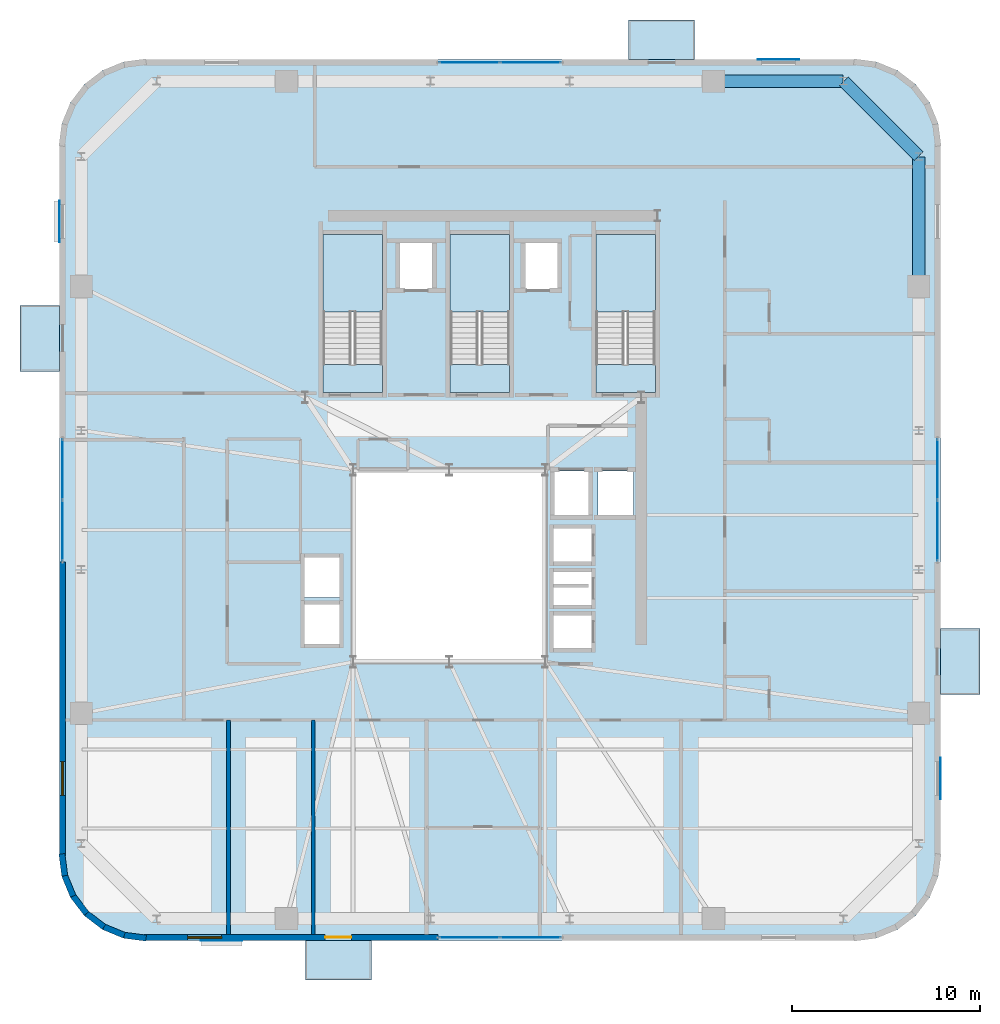
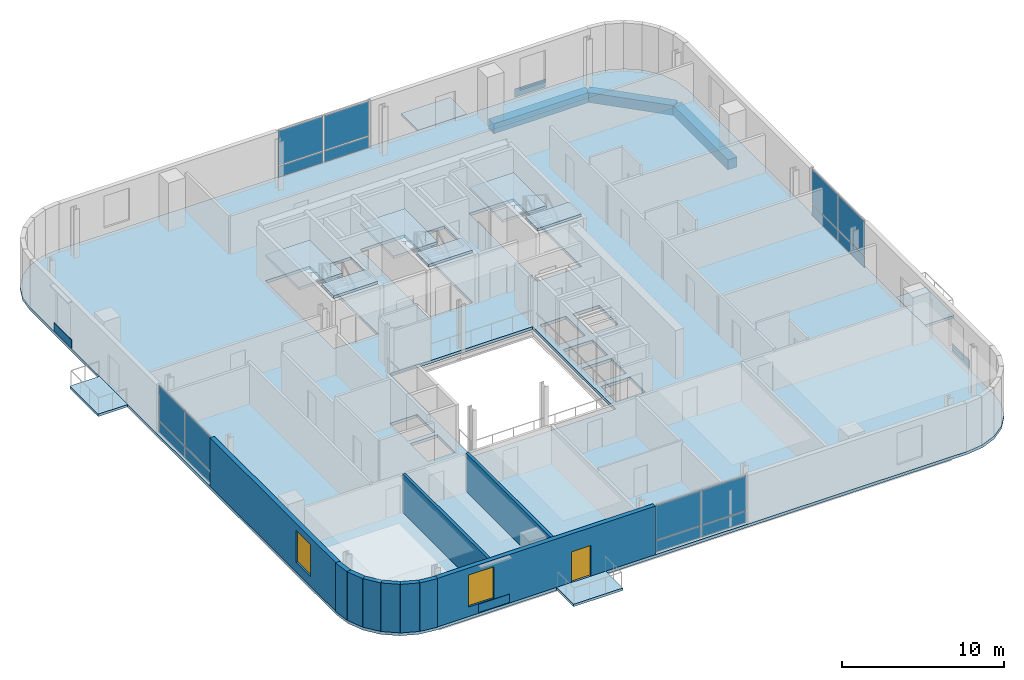
# One storey, part 7 of 15: 20 plates, 11 slabs, 10 walls, 3 beams, 2 windows, 1 door, 3 openings, 7 elements without a shape of their own.
"""IFC4 building model written with IfcOpenShell, lengths in metres."""

from ifc_helpers import new_model, si_unit, direction, frame, frame_2d, origin, origin_2d, place, context, subcontext, project, spatial, polyline, rectangle, outline, extrude, source, transform, mapped, material, layer, layer_set, material_profile, profile_set, type_object, element, fill, aggregate, save


model = new_model("IFC4")

# Units and contexts
model_context = context("Model", 3, precision=1e-05, world=origin(), true_north=direction((0.0, 1.0)))
body_context = subcontext(model_context, "Body", "Model", "MODEL_VIEW")
ifc_project = project(units=[si_unit("LENGTHUNIT", "METRE"), si_unit("AREAUNIT", "SQUARE_METRE"), si_unit("VOLUMEUNIT", "CUBIC_METRE"), si_unit("PLANEANGLEUNIT", "RADIAN"), si_unit("MASSUNIT", "GRAM", prefix="KILO")], contexts=[model_context])

# Site, building, storey
site_placement = place(None, origin())
site = spatial("IfcSite", under=ifc_project, at=site_placement, CompositionType="ELEMENT")
building_placement = place(site_placement, origin())
building = spatial("IfcBuilding", under=site, at=building_placement, Name="Vardaveli Station Tower", CompositionType="ELEMENT")
storey_placement = place(building_placement, frame((0.0, 0.0, 250.60009765625)))
storey = spatial("IfcBuildingStorey", under=building, at=storey_placement, Name="L64", CompositionType="ELEMENT", Elevation=250.60009765625)

# Beams
ifc_material_1 = material(Name="Precast concrete C45/55", Category="concrete")
ifc_material_profile = material_profile(ifc_material_1, rectangle(XDim=0.64990234375, YDim=0.75, at=origin_2d()), Name="LPB 650x750")
ifc_profile_set = profile_set([ifc_material_profile], Name="Precast concrete C45/55")
beam_type = type_object("IfcBeamType", Name="BM-LPB-750", PredefinedType="BEAM", material=ifc_profile_set)
shared_shape_1 = source(origin(), body_context, "Body", "SweptSolid", [
    extrude(rectangle(XDim=0.64990234375, YDim=0.75, at=origin_2d()), origin(), (0.0, 0.0, 1.0), 6.869873046875),
])
for number, where, z_axis, x_axis, name in (
    (1, (61.25, 36.56005859375, -0.59521484375), (0.0, 1.0, 0.0), (-1.0, 0.0, 0.0), "RBM-L64-10"),
    (2, (57.22998046875, 47.449951171875, -0.59521484375), (-1.0, 0.0, 0.0), (0.0, -1.0, 0.0), "RBM-L64-12"),
):
    element("IfcBeam", number, at=place(storey_placement, frame(where, z_axis=z_axis, x_axis=x_axis)), inside=storey, type_object=beam_type, Name=name, PredefinedType="BEAM", context=body_context, shape_type="MappedRepresentation", body=[
        mapped(shared_shape_1, transform((0.0, 0.0, 0.0), scale=1.0)),
    ])
shared_shape_2 = source(origin(), body_context, "Body", "SweptSolid", [
    extrude(rectangle(XDim=0.64990234375, YDim=0.75, at=origin_2d()), origin(), (0.0, 0.0, 1.0), 5.61669921875),
])
beam_placement = place(storey_placement, frame((61.23583984375, 43.464111328125, -0.59521484375), z_axis=(-0.707106781187, 0.707106781187, 0.0), x_axis=(-0.707106781187, -0.707106781187, 0.0)))
element("IfcBeam", 3, at=beam_placement, inside=storey, type_object=beam_type, Name="RBM-L64-11", PredefinedType="BEAM", context=body_context, shape_type="MappedRepresentation", body=[
    mapped(shared_shape_2, transform((0.0, 0.0, 0.0), scale=1.0)),
])

# Stair, slabs
ifc_material_2 = material(Name="Concrete C40/50", Category="concrete")
stair_type = type_object("IfcStairType", Name="STR-CORE-1500", PredefinedType="HALF_TURN_STAIR", material=ifc_material_2)
stair_1_placement = place(storey_placement, origin())
stair_1 = element("IfcStair", 4, at=stair_1_placement, inside=storey, type_object=stair_type, Name="L64 ST-1", PredefinedType="HALF_TURN_STAIR")
ifc_layer_1 = layer(ifc_material_2, 0.199951171875, Name="Concrete C40/50")
ifc_layer_set_1 = layer_set([ifc_layer_1], Name="Concrete C40/50")
slab_type_1 = type_object("IfcSlabType", Name="SLB-LAND-200", PredefinedType="LANDING", material=ifc_layer_set_1)
slab_1_placement = place(storey_placement, frame((0.0, 0.0, 1.77490234375)))
slab_1 = element("IfcSlab", 5, at=slab_1_placement, type_object=slab_type_1, Name="ST-1 landing 1", PredefinedType="LANDING", context=body_context, shape_type="SweptSolid", body=[
    extrude(outline(polyline([(32.75, 35.199951171875), (32.75, 39.300048828125), (29.60009765625, 39.300048828125), (29.60009765625, 35.199951171875), (32.75, 35.199951171875)])), origin(), (0.0, 0.0, 1.0), 0.199951171875),
])
slab_2_placement = place(storey_placement, frame((0.0, 0.0, 3.75)))
slab_2 = element("IfcSlab", 6, at=slab_2_placement, type_object=slab_type_1, Name="ST-1 landing 2", PredefinedType="LANDING", context=body_context, shape_type="SweptSolid", body=[
    extrude(outline(polyline([(32.75, 30.89990234375), (32.75, 32.39990234375), (29.60009765625, 32.39990234375), (29.60009765625, 30.89990234375), (32.75, 30.89990234375)])), origin(), (0.0, 0.0, 1.0), 0.199951171875),
])
aggregate(stair_1, [slab_1, slab_2])

stair_2_placement = place(storey_placement, origin())
stair_2 = element("IfcStair", 7, at=stair_2_placement, inside=storey, type_object=stair_type, Name="L64 ST-2", PredefinedType="HALF_TURN_STAIR")
slab_3_placement = place(storey_placement, frame((0.0, 0.0, 1.77490234375)))
slab_3 = element("IfcSlab", 8, at=slab_3_placement, type_object=slab_type_1, Name="ST-2 landing 1", PredefinedType="LANDING", context=body_context, shape_type="SweptSolid", body=[
    extrude(outline(polyline([(39.5, 35.199951171875), (39.5, 39.300048828125), (36.35009765625, 39.300048828125), (36.35009765625, 35.199951171875), (39.5, 35.199951171875)])), origin(), (0.0, 0.0, 1.0), 0.199951171875),
])
slab_4_placement = place(storey_placement, frame((0.0, 0.0, 3.75)))
slab_4 = element("IfcSlab", 9, at=slab_4_placement, type_object=slab_type_1, Name="ST-2 landing 2", PredefinedType="LANDING", context=body_context, shape_type="SweptSolid", body=[
    extrude(outline(polyline([(39.5, 30.89990234375), (39.5, 32.39990234375), (36.35009765625, 32.39990234375), (36.35009765625, 30.89990234375), (39.5, 30.89990234375)])), origin(), (0.0, 0.0, 1.0), 0.199951171875),
])
aggregate(stair_2, [slab_3, slab_4])

stair_3_placement = place(storey_placement, origin())
stair_3 = element("IfcStair", 10, at=stair_3_placement, inside=storey, type_object=stair_type, Name="L64 ST-3", PredefinedType="HALF_TURN_STAIR")
slab_5_placement = place(storey_placement, frame((0.0, 0.0, 1.77490234375)))
slab_5 = element("IfcSlab", 11, at=slab_5_placement, type_object=slab_type_1, Name="ST-3 landing 1", PredefinedType="LANDING", context=body_context, shape_type="SweptSolid", body=[
    extrude(outline(polyline([(47.25, 35.199951171875), (47.25, 39.300048828125), (44.10009765625, 39.300048828125), (44.10009765625, 35.199951171875), (47.25, 35.199951171875)])), origin(), (0.0, 0.0, 1.0), 0.199951171875),
])
slab_6_placement = place(storey_placement, frame((0.0, 0.0, 3.75)))
slab_6 = element("IfcSlab", 12, at=slab_6_placement, type_object=slab_type_1, Name="ST-3 landing 2", PredefinedType="LANDING", context=body_context, shape_type="SweptSolid", body=[
    extrude(outline(polyline([(47.25, 30.89990234375), (47.25, 32.39990234375), (44.10009765625, 32.39990234375), (44.10009765625, 30.89990234375), (47.25, 30.89990234375)])), origin(), (0.0, 0.0, 1.0), 0.199951171875),
])
aggregate(stair_3, [slab_5, slab_6])

# Slabs
ifc_layer_2 = layer(ifc_material_1, 0.179931640625, Name="Precast concrete C45/55")
ifc_layer_set_2 = layer_set([ifc_layer_2], Name="Precast concrete C45/55")
slab_type_2 = type_object("IfcSlabType", Name="SLB-LOGGIA-180", PredefinedType="FLOOR", material=ifc_layer_set_2)
slab_7_placement = place(storey_placement, frame((0.0, 0.0, -0.18017578125)))
element("IfcSlab", 13, at=slab_7_placement, inside=storey, type_object=slab_type_2, Name="LOG-L64-S", PredefinedType="FLOOR", context=body_context, shape_type="SweptSolid", body=[
    extrude(outline(polyline([(28.660400390625, -0.300048828125), (32.160400390625, -0.300048828125), (32.160400390625, 1.800048828125), (28.660400390625, 1.800048828125), (28.660400390625, -0.300048828125)])), origin(), (0.0, 0.0, 1.0), 0.18017578125),
])
slab_8_placement = place(storey_placement, frame((0.0, 0.0, -0.18017578125)))
element("IfcSlab", 14, at=slab_8_placement, inside=storey, type_object=slab_type_2, Name="LOG-L64-N", PredefinedType="FLOOR", context=body_context, shape_type="SweptSolid", body=[
    extrude(outline(polyline([(45.839599609375, 48.60009765625), (49.339599609375, 48.60009765625), (49.339599609375, 50.699951171875), (45.839599609375, 50.699951171875), (45.839599609375, 48.60009765625)])), origin(), (0.0, 0.0, 1.0), 0.18017578125),
])
slab_9_placement = place(storey_placement, frame((0.0, 0.0, -0.18017578125)))
element("IfcSlab", 15, at=slab_9_placement, inside=storey, type_object=slab_type_2, Name="LOG-L64-W", PredefinedType="FLOOR", context=body_context, shape_type="SweptSolid", body=[
    extrude(outline(polyline([(13.5, 32.03955078125), (15.60009765625, 32.03955078125), (15.60009765625, 35.53955078125), (13.5, 35.53955078125), (13.5, 32.03955078125)])), origin(), (0.0, 0.0, 1.0), 0.18017578125),
])
slab_10_placement = place(storey_placement, frame((0.0, 0.0, -0.18017578125)))
element("IfcSlab", 16, at=slab_10_placement, inside=storey, type_object=slab_type_2, Name="LOG-L64-E", PredefinedType="FLOOR", context=body_context, shape_type="SweptSolid", body=[
    extrude(outline(polyline([(62.39990234375, 14.8603515625), (64.5, 14.8603515625), (64.5, 18.3603515625), (62.39990234375, 18.3603515625), (62.39990234375, 14.8603515625)])), origin(), (0.0, 0.0, 1.0), 0.18017578125),
])
ifc_layer_3 = layer(ifc_material_2, 0.219970703125, Name="Concrete C40/50")
ifc_layer_set_3 = layer_set([ifc_layer_3], Name="Concrete C40/50")
slab_type_3 = type_object("IfcSlabType", Name="SLB-TOW-220", PredefinedType="FLOOR", material=ifc_layer_set_3)
slab_11_placement = place(storey_placement, frame((0.0, 0.0, -0.22021484375)))
element("IfcSlab", 17, at=slab_11_placement, inside=storey, type_object=slab_type_3, Name="SLB-L64-MAIN", PredefinedType="FLOOR", context=body_context, shape_type="SweptSolid", body=[
    extrude(outline(polyline([(15.60009765625, 6.300048828125), (15.75341796875, 5.13525390625), (16.202880859375, 4.050048828125), (16.91796875, 3.117919921875), (17.85009765625, 2.40283203125), (18.935302734375, 1.953369140625), (20.10009765625, 1.800048828125), (57.89990234375, 1.800048828125), (59.064697265625, 1.953369140625), (60.14990234375, 2.40283203125), (61.08203125, 3.117919921875), (61.797119140625, 4.050048828125), (62.24658203125, 5.13525390625), (62.39990234375, 6.300048828125), (62.39990234375, 44.10009765625), (62.24658203125, 45.2646484375), (61.797119140625, 46.35009765625), (61.08203125, 47.281982421875), (60.14990234375, 47.9970703125), (59.064697265625, 48.44677734375), (57.89990234375, 48.60009765625), (20.10009765625, 48.60009765625), (18.935302734375, 48.44677734375), (17.85009765625, 47.9970703125), (16.91796875, 47.281982421875), (16.202880859375, 46.35009765625), (15.75341796875, 45.2646484375), (15.60009765625, 44.10009765625), (15.60009765625, 6.300048828125)]), holes=[polyline([(31.199951171875, 16.60009765625), (41.39990234375, 16.60009765625), (41.39990234375, 26.800048828125), (31.199951171875, 26.800048828125), (31.199951171875, 16.60009765625)]), polyline([(32.75, 30.89990234375), (32.75, 39.300048828125), (29.60009765625, 39.300048828125), (29.60009765625, 30.89990234375), (32.75, 30.89990234375)]), polyline([(39.5, 30.89990234375), (39.5, 39.300048828125), (36.35009765625, 39.300048828125), (36.35009765625, 30.89990234375), (39.5, 30.89990234375)]), polyline([(47.25, 30.89990234375), (47.25, 39.300048828125), (44.10009765625, 39.300048828125), (44.10009765625, 30.89990234375), (47.25, 30.89990234375)]), polyline([(33.659912109375, 36.409912109375), (35.43994140625, 36.409912109375), (35.43994140625, 38.889892578125), (33.659912109375, 38.889892578125), (33.659912109375, 36.409912109375)]), polyline([(40.31005859375, 36.409912109375), (42.090087890625, 36.409912109375), (42.090087890625, 38.889892578125), (40.31005859375, 38.889892578125), (40.31005859375, 36.409912109375)]), polyline([(41.81005859375, 21.885009765625), (43.889892578125, 21.885009765625), (43.889892578125, 23.715087890625), (41.81005859375, 23.715087890625), (41.81005859375, 21.885009765625)]), polyline([(41.81005859375, 19.5849609375), (43.889892578125, 19.5849609375), (43.889892578125, 21.4150390625), (41.81005859375, 21.4150390625), (41.81005859375, 19.5849609375)]), polyline([(41.81005859375, 17.284912109375), (43.889892578125, 17.284912109375), (43.889892578125, 19.114990234375), (41.81005859375, 19.114990234375), (41.81005859375, 17.284912109375)]), polyline([(28.5849609375, 17.510009765625), (30.514892578125, 17.510009765625), (30.514892578125, 19.68994140625), (28.5849609375, 19.68994140625), (28.5849609375, 17.510009765625)]), polyline([(28.5849609375, 20.010009765625), (30.514892578125, 20.010009765625), (30.514892578125, 22.18994140625), (28.5849609375, 22.18994140625), (28.5849609375, 20.010009765625)]), polyline([(41.860107421875, 24.360107421875), (43.739990234375, 24.360107421875), (43.739990234375, 26.739990234375), (41.860107421875, 26.739990234375), (41.860107421875, 24.360107421875)]), polyline([(44.2099609375, 24.360107421875), (46.090087890625, 24.360107421875), (46.090087890625, 26.739990234375), (44.2099609375, 26.739990234375), (44.2099609375, 24.360107421875)])]), origin(), (0.0, 0.0, 1.0), 0.22021484375),
])

# Plates
ifc_material_3 = material(Name="Honed Caucasian travertine stone", Category="masonry")
ifc_layer_4 = layer(ifc_material_3, 0.034912109375, Name="Honed Caucasian travertine stone")
ifc_layer_set_4 = layer_set([ifc_layer_4], Name="Honed Caucasian travertine stone")
plate_type_1 = type_object("IfcPlateType", Name="PLT-TRAV-35", PredefinedType="SHEET", material=ifc_layer_set_4)
shared_shape_3 = source(origin(), body_context, "Body", "SweptSolid", [
    extrude(rectangle(XDim=2.199951171875, YDim=0.034912109375, at=origin_2d()), origin(), (0.0, 0.0, 1.0), 0.6201171875),
])
for number, where, z_axis, x_axis, name in (
    (18, (24.205078125, 1.79052734375, 0.06982421875), (0.0, 0.0, 1.0), (1.0, 0.0, 0.0), "PLT-TR-L64-S"),
    (19, (53.794921875, 48.609619140625, 0.06982421875), (0.0, 0.0, 1.0), (1.0, 0.0, 0.0), "PLT-TR-L64-N"),
    (20, (15.590576171875, 39.9951171875, 0.06982421875), (0.0, 0.0, 1.0), (0.0, 1.0, 0.0), "PLT-TR-L64-W"),
    (21, (62.409423828125, 10.405029296875, 0.06982421875), (0.0, 0.0, 1.0), (0.0, 1.0, 0.0), "PLT-TR-L64-E"),
):
    element("IfcPlate", number, at=place(storey_placement, frame(where, z_axis=z_axis, x_axis=x_axis)), inside=storey, type_object=plate_type_1, Name=name, PredefinedType="SHEET", context=body_context, shape_type="MappedRepresentation", body=[
        mapped(shared_shape_3, transform((0.0, 0.0, 0.0), scale=1.0)),
    ])

# Curtain wall, plates
ifc_material_4 = material(Name="Travertine stone and solar-control glass", Category="masonry")
curtain_wall_type = type_object("IfcCurtainWallType", Name="CW-SYS-5", PredefinedType="NOTDEFINED", material=ifc_material_4)
curtain_wall_1_placement = place(storey_placement, origin())
curtain_wall_1 = element("IfcCurtainWall", 22, at=curtain_wall_1_placement, inside=storey, type_object=curtain_wall_type, Name="CW-L64-S", PredefinedType="NOTDEFINED")
ifc_material_5 = material(Name="Double-glazed low-E solar-control glass", Category="glass")
ifc_layer_5 = layer(ifc_material_5, 0.031982421875, Name="Double-glazed low-E solar-control glass")
ifc_layer_set_5 = layer_set([ifc_layer_5], Name="Double-glazed low-E solar-control glass")
plate_type_2 = type_object("IfcPlateType", Name="CW-SYS-5-PAN", PredefinedType="CURTAIN_PANEL", material=ifc_layer_set_5)
shared_shape_4 = source(origin(), body_context, "Body", "SweptSolid", [
    extrude(rectangle(XDim=3.179931640625, YDim=0.031982421875, at=origin_2d()), origin(), (0.0, 0.0, 1.0), 0.830078125),
])
plate_1_placement = place(storey_placement, frame((37.3701171875, 1.9599609375, 0.079833984375), z_axis=(0.0, 0.0, 1.0), x_axis=(1.0, 0.0, 0.0)))
plate_1 = element("IfcPlate", 23, at=plate_1_placement, type_object=plate_type_2, Name="CW-5 panel 1.1", PredefinedType="CURTAIN_PANEL", context=body_context, shape_type="MappedRepresentation", body=[
    mapped(shared_shape_4, transform((0.0, 0.0, 0.0), scale=1.0)),
])
plate_2_placement = place(storey_placement, frame((40.6298828125, 1.9599609375, 0.079833984375), z_axis=(0.0, 0.0, 1.0), x_axis=(1.0, 0.0, 0.0)))
plate_2 = element("IfcPlate", 24, at=plate_2_placement, type_object=plate_type_2, Name="CW-5 panel 2.1", PredefinedType="CURTAIN_PANEL", context=body_context, shape_type="MappedRepresentation", body=[
    mapped(shared_shape_4, transform((0.0, 0.0, 0.0), scale=1.0)),
])

curtain_wall_2_placement = place(storey_placement, origin())
curtain_wall_2 = element("IfcCurtainWall", 25, at=curtain_wall_2_placement, inside=storey, type_object=curtain_wall_type, Name="CW-L64-N", PredefinedType="NOTDEFINED")
plate_3_placement = place(storey_placement, frame((40.6298828125, 48.43994140625, 0.079833984375), z_axis=(0.0, 0.0, 1.0), x_axis=(-1.0, 0.0, 0.0)))
plate_3 = element("IfcPlate", 26, at=plate_3_placement, type_object=plate_type_2, Name="CW-5 panel 1.1", PredefinedType="CURTAIN_PANEL", context=body_context, shape_type="MappedRepresentation", body=[
    mapped(shared_shape_4, transform((0.0, 0.0, 0.0), scale=1.0)),
])
plate_4_placement = place(storey_placement, frame((37.3701171875, 48.43994140625, 0.079833984375), z_axis=(0.0, 0.0, 1.0), x_axis=(-1.0, 0.0, 0.0)))
plate_4 = element("IfcPlate", 27, at=plate_4_placement, type_object=plate_type_2, Name="CW-5 panel 2.1", PredefinedType="CURTAIN_PANEL", context=body_context, shape_type="MappedRepresentation", body=[
    mapped(shared_shape_4, transform((0.0, 0.0, 0.0), scale=1.0)),
])

curtain_wall_3_placement = place(storey_placement, origin())
curtain_wall_3 = element("IfcCurtainWall", 28, at=curtain_wall_3_placement, inside=storey, type_object=curtain_wall_type, Name="CW-L64-W", PredefinedType="NOTDEFINED")
plate_5_placement = place(storey_placement, frame((15.760009765625, 26.830078125, 0.079833984375), z_axis=(0.0, 0.0, 1.0), x_axis=(0.0, -1.0, 0.0)))
plate_5 = element("IfcPlate", 29, at=plate_5_placement, type_object=plate_type_2, Name="CW-5 panel 1.1", PredefinedType="CURTAIN_PANEL", context=body_context, shape_type="MappedRepresentation", body=[
    mapped(shared_shape_4, transform((0.0, 0.0, 0.0), scale=1.0)),
])
plate_6_placement = place(storey_placement, frame((15.760009765625, 23.570068359375, 0.079833984375), z_axis=(0.0, 0.0, 1.0), x_axis=(0.0, -1.0, 0.0)))
plate_6 = element("IfcPlate", 30, at=plate_6_placement, type_object=plate_type_2, Name="CW-5 panel 2.1", PredefinedType="CURTAIN_PANEL", context=body_context, shape_type="MappedRepresentation", body=[
    mapped(shared_shape_4, transform((0.0, 0.0, 0.0), scale=1.0)),
])

curtain_wall_4_placement = place(storey_placement, origin())
curtain_wall_4 = element("IfcCurtainWall", 31, at=curtain_wall_4_placement, inside=storey, type_object=curtain_wall_type, Name="CW-L64-E", PredefinedType="NOTDEFINED")
plate_7_placement = place(storey_placement, frame((62.239990234375, 23.570068359375, 0.079833984375), z_axis=(0.0, 0.0, 1.0), x_axis=(0.0, 1.0, 0.0)))
plate_7 = element("IfcPlate", 32, at=plate_7_placement, type_object=plate_type_2, Name="CW-5 panel 1.1", PredefinedType="CURTAIN_PANEL", context=body_context, shape_type="MappedRepresentation", body=[
    mapped(shared_shape_4, transform((0.0, 0.0, 0.0), scale=1.0)),
])
plate_8_placement = place(storey_placement, frame((62.239990234375, 26.830078125, 0.079833984375), z_axis=(0.0, 0.0, 1.0), x_axis=(0.0, 1.0, 0.0)))
plate_8 = element("IfcPlate", 33, at=plate_8_placement, type_object=plate_type_2, Name="CW-5 panel 2.1", PredefinedType="CURTAIN_PANEL", context=body_context, shape_type="MappedRepresentation", body=[
    mapped(shared_shape_4, transform((0.0, 0.0, 0.0), scale=1.0)),
])

# Plate
shared_shape_5 = source(origin(), body_context, "Body", "SweptSolid", [
    extrude(rectangle(XDim=3.179931640625, YDim=0.031982421875, at=origin_2d()), origin(), (0.0, 0.0, 1.0), 2.580078125),
])
plate_9_placement = place(storey_placement, frame((37.3701171875, 1.9599609375, 0.98974609375), z_axis=(0.0, 0.0, 1.0), x_axis=(1.0, 0.0, 0.0)))
plate_9 = element("IfcPlate", 34, at=plate_9_placement, type_object=plate_type_2, Name="CW-5 panel 1.2", PredefinedType="CURTAIN_PANEL", context=body_context, shape_type="MappedRepresentation", body=[
    mapped(shared_shape_5, transform((0.0, 0.0, 0.0), scale=1.0)),
])

plate_10_placement = place(storey_placement, frame((40.6298828125, 1.9599609375, 0.98974609375), z_axis=(0.0, 0.0, 1.0), x_axis=(1.0, 0.0, 0.0)))
plate_10 = element("IfcPlate", 35, at=plate_10_placement, type_object=plate_type_2, Name="CW-5 panel 2.2", PredefinedType="CURTAIN_PANEL", context=body_context, shape_type="MappedRepresentation", body=[
    mapped(shared_shape_5, transform((0.0, 0.0, 0.0), scale=1.0)),
])

aggregate(curtain_wall_1, [plate_1, plate_9, plate_2, plate_10])

plate_11_placement = place(storey_placement, frame((40.6298828125, 48.43994140625, 0.98974609375), z_axis=(0.0, 0.0, 1.0), x_axis=(-1.0, 0.0, 0.0)))
plate_11 = element("IfcPlate", 36, at=plate_11_placement, type_object=plate_type_2, Name="CW-5 panel 1.2", PredefinedType="CURTAIN_PANEL", context=body_context, shape_type="MappedRepresentation", body=[
    mapped(shared_shape_5, transform((0.0, 0.0, 0.0), scale=1.0)),
])

plate_12_placement = place(storey_placement, frame((37.3701171875, 48.43994140625, 0.98974609375), z_axis=(0.0, 0.0, 1.0), x_axis=(-1.0, 0.0, 0.0)))
plate_12 = element("IfcPlate", 37, at=plate_12_placement, type_object=plate_type_2, Name="CW-5 panel 2.2", PredefinedType="CURTAIN_PANEL", context=body_context, shape_type="MappedRepresentation", body=[
    mapped(shared_shape_5, transform((0.0, 0.0, 0.0), scale=1.0)),
])

aggregate(curtain_wall_2, [plate_3, plate_11, plate_4, plate_12])

plate_13_placement = place(storey_placement, frame((15.760009765625, 26.830078125, 0.98974609375), z_axis=(0.0, 0.0, 1.0), x_axis=(0.0, -1.0, 0.0)))
plate_13 = element("IfcPlate", 38, at=plate_13_placement, type_object=plate_type_2, Name="CW-5 panel 1.2", PredefinedType="CURTAIN_PANEL", context=body_context, shape_type="MappedRepresentation", body=[
    mapped(shared_shape_5, transform((0.0, 0.0, 0.0), scale=1.0)),
])

plate_14_placement = place(storey_placement, frame((15.760009765625, 23.570068359375, 0.98974609375), z_axis=(0.0, 0.0, 1.0), x_axis=(0.0, -1.0, 0.0)))
plate_14 = element("IfcPlate", 39, at=plate_14_placement, type_object=plate_type_2, Name="CW-5 panel 2.2", PredefinedType="CURTAIN_PANEL", context=body_context, shape_type="MappedRepresentation", body=[
    mapped(shared_shape_5, transform((0.0, 0.0, 0.0), scale=1.0)),
])

aggregate(curtain_wall_3, [plate_5, plate_13, plate_6, plate_14])

plate_15_placement = place(storey_placement, frame((62.239990234375, 23.570068359375, 0.98974609375), z_axis=(0.0, 0.0, 1.0), x_axis=(0.0, 1.0, 0.0)))
plate_15 = element("IfcPlate", 40, at=plate_15_placement, type_object=plate_type_2, Name="CW-5 panel 1.2", PredefinedType="CURTAIN_PANEL", context=body_context, shape_type="MappedRepresentation", body=[
    mapped(shared_shape_5, transform((0.0, 0.0, 0.0), scale=1.0)),
])

plate_16_placement = place(storey_placement, frame((62.239990234375, 26.830078125, 0.98974609375), z_axis=(0.0, 0.0, 1.0), x_axis=(0.0, 1.0, 0.0)))
plate_16 = element("IfcPlate", 41, at=plate_16_placement, type_object=plate_type_2, Name="CW-5 panel 2.2", PredefinedType="CURTAIN_PANEL", context=body_context, shape_type="MappedRepresentation", body=[
    mapped(shared_shape_5, transform((0.0, 0.0, 0.0), scale=1.0)),
])

aggregate(curtain_wall_4, [plate_7, plate_15, plate_8, plate_16])

# Wall, openings, door, window
ifc_layer_6 = layer(ifc_material_1, 0.320068359375, Name="Precast concrete C45/55")
ifc_layer_set_6 = layer_set([ifc_layer_6], Name="Precast concrete C45/55")
wall_type_1 = type_object("IfcWallType", Name="WAL-EXT-STONE-320", PredefinedType="SOLIDWALL", material=ifc_layer_set_6)
shared_shape_6 = source(origin(), body_context, "Body", "SweptSolid", [
    extrude(rectangle(XDim=15.599853515625, YDim=0.320068359375, at=frame_2d((7.7998046875, 0.0))), origin(), (0.0, 0.0, 1.0), 3.64990234375),
])
wall_1_placement = place(storey_placement, frame((20.10009765625, 1.9599609375, 0.0), z_axis=(0.0, 0.0, 1.0), x_axis=(1.0, 0.0, 0.0)))
wall_1 = element("IfcWall", 42, at=wall_1_placement, inside=storey, type_object=wall_type_1, Name="EW-L64-S1", PredefinedType="SOLIDWALL", context=body_context, shape_type="MappedRepresentation", body=[
    mapped(shared_shape_6, transform((0.0, 0.0, 0.0), scale=1.0)),
])
shared_shape_7 = source(origin(), body_context, "Body", "SweptSolid", [
    extrude(rectangle(XDim=1.39990234375, YDim=2.300048828125, at=frame_2d((0.699951171875, 1.14990234375))), frame((0.0, 0.169921875, 0.0), z_axis=(0.0, -1.0, 0.0), x_axis=(1.0, 0.0, 0.0)), (0.0, 0.0, 1.0), 0.340087890625),
])
opening_1_placement = place(wall_1_placement, frame((9.6103515625, 0.0, 0.0)))
opening_1 = element("IfcOpeningElement", 43, at=opening_1_placement, cuts=wall_1, Name="Opening D-09", PredefinedType="OPENING", context=body_context, shape_type="MappedRepresentation", body=[
    mapped(shared_shape_7, transform((0.0, 0.0, 0.0), scale=1.0)),
])
shared_shape_8 = source(origin(), body_context, "Body", "SweptSolid", [
    extrude(rectangle(XDim=1.800048828125, YDim=2.39990234375, at=frame_2d((0.89990234375, 1.199951171875))), frame((0.0, 0.169921875, 0.0), z_axis=(0.0, -1.0, 0.0), x_axis=(1.0, 0.0, 0.0)), (0.0, 0.0, 1.0), 0.340087890625),
])
opening_2_placement = place(wall_1_placement, frame((2.304931640625, 0.0, 0.719970703125)))
opening_2 = element("IfcOpeningElement", 44, at=opening_2_placement, cuts=wall_1, Name="Opening W-05", PredefinedType="OPENING", context=body_context, shape_type="MappedRepresentation", body=[
    mapped(shared_shape_8, transform((0.0, 0.0, 0.0), scale=1.0)),
])
ifc_material_6 = material(Name="Thermally broken aluminium glass", Category="aluminium")
door_type = type_object("IfcDoorType", Name="DR-LOG-1400x2300", OperationType="DOUBLE_DOOR_SLIDING", PredefinedType="DOOR", material=ifc_material_6)
shared_shape_9 = source(origin(), body_context, "Body", "SweptSolid", [
    extrude(rectangle(XDim=1.39990234375, YDim=2.300048828125, at=frame_2d((0.699951171875, 1.14990234375))), frame((0.0, 0.02490234375, 0.0), z_axis=(0.0, -1.0, 0.0), x_axis=(1.0, 0.0, 0.0)), (0.0, 0.0, 1.0), 0.050048828125),
])
door_placement = place(opening_1_placement, frame((1.39990234375, 0.0, 0.0), z_axis=(0.0, 0.0, 1.0), x_axis=(-1.0, 0.0, 0.0)))
door = element("IfcDoor", 45, at=door_placement, inside=storey, type_object=door_type, Name="DLG-L64-S", OperationType="DOUBLE_DOOR_SLIDING", OverallHeight=2.300048828125, OverallWidth=1.39990234375, PredefinedType="DOOR", context=body_context, shape_type="MappedRepresentation", body=[
    mapped(shared_shape_9, transform((0.0, 0.0, 0.0), scale=1.0)),
])
fill(opening_1, door)
ifc_material_7 = material(Name="Low-E solar-control glass", Category="glass")
window_type = type_object("IfcWindowType", Name="WIN-HIGH-1800x2400", PartitioningType="SINGLE_PANEL", PredefinedType="WINDOW", material=ifc_material_7)
shared_shape_10 = source(origin(), body_context, "Body", "SweptSolid", [
    extrude(rectangle(XDim=1.800048828125, YDim=2.39990234375, at=frame_2d((0.89990234375, 1.199951171875))), frame((0.0, 0.030029296875, 0.0), z_axis=(0.0, -1.0, 0.0), x_axis=(1.0, 0.0, 0.0)), (0.0, 0.0, 1.0), 0.06005859375),
])
window_1_placement = place(opening_2_placement, origin())
window_1 = element("IfcWindow", 46, at=window_1_placement, inside=storey, type_object=window_type, Name="WN-L64-S1", OverallHeight=2.39990234375, OverallWidth=1.800048828125, PartitioningType="SINGLE_PANEL", PredefinedType="WINDOW", context=body_context, shape_type="MappedRepresentation", body=[
    mapped(shared_shape_10, transform((0.0, 0.0, 0.0), scale=1.0)),
])
fill(opening_2, window_1)

# Wall, opening, window
wall_2_placement = place(storey_placement, frame((15.760009765625, 21.89990234375, 0.0), z_axis=(0.0, 0.0, 1.0), x_axis=(0.0, -1.0, 0.0)))
wall_2 = element("IfcWall", 47, at=wall_2_placement, inside=storey, type_object=wall_type_1, Name="EW-L64-W2", PredefinedType="SOLIDWALL", context=body_context, shape_type="MappedRepresentation", body=[
    mapped(shared_shape_6, transform((0.0, 0.0, 0.0), scale=1.0)),
])
opening_3_placement = place(wall_2_placement, frame((10.594970703125, 0.0, 0.719970703125)))
opening_3 = element("IfcOpeningElement", 48, at=opening_3_placement, cuts=wall_2, Name="Opening W-05", PredefinedType="OPENING", context=body_context, shape_type="MappedRepresentation", body=[
    mapped(shared_shape_8, transform((0.0, 0.0, 0.0), scale=1.0)),
])
window_2_placement = place(opening_3_placement, origin())
window_2 = element("IfcWindow", 49, at=window_2_placement, inside=storey, type_object=window_type, Name="WN-L64-W2", OverallHeight=2.39990234375, OverallWidth=1.800048828125, PartitioningType="SINGLE_PANEL", PredefinedType="WINDOW", context=body_context, shape_type="MappedRepresentation", body=[
    mapped(shared_shape_10, transform((0.0, 0.0, 0.0), scale=1.0)),
])
fill(opening_3, window_2)

# Walls
shared_shape_11 = source(origin(), body_context, "Body", "SweptSolid", [
    extrude(rectangle(XDim=1.170654296875, YDim=0.320068359375, at=frame_2d((0.58544921875, 0.0))), origin(), (0.0, 0.0, 1.0), 3.64990234375),
])
wall_3_placement = place(storey_placement, frame((15.724365234375, 6.400634765625, 0.0), z_axis=(0.0, 0.0, 1.0), x_axis=(0.128269133229, -0.991739395941, 0.0)))
element("IfcWall", 50, at=wall_3_placement, inside=storey, type_object=wall_type_1, Name="EW-L64-CR1-1", PredefinedType="SOLIDWALL", context=body_context, shape_type="MappedRepresentation", body=[
    mapped(shared_shape_11, transform((0.0, 0.0, 0.0), scale=1.0)),
])
shared_shape_12 = source(origin(), body_context, "Body", "SweptSolid", [
    extrude(rectangle(XDim=1.1689453125, YDim=0.320068359375, at=frame_2d((0.58447265625, 0.0))), origin(), (0.0, 0.0, 1.0), 3.64990234375),
])
for number, where, z_axis, x_axis, name in (
    (51, (15.87451171875, 5.23974609375, 0.0), (0.0, 0.0, 1.0), (0.381127904695, -0.924522320046, 0.0), "EW-L64-CR1-2"),
    (52, (16.320068359375, 4.158935546875, 0.0), (0.0, 0.0, 1.0), (0.608387696831, -0.793639975269, 0.0), "EW-L64-CR1-3"),
):
    element("IfcWall", number, at=place(storey_placement, frame(where, z_axis=z_axis, x_axis=x_axis)), inside=storey, type_object=wall_type_1, Name=name, PredefinedType="SOLIDWALL", context=body_context, shape_type="MappedRepresentation", body=[
        mapped(shared_shape_12, transform((0.0, 0.0, 0.0), scale=1.0)),
    ])
shared_shape_13 = source(origin(), body_context, "Body", "SweptSolid", [
    extrude(rectangle(XDim=1.168701171875, YDim=0.320068359375, at=frame_2d((0.58447265625, 0.0))), origin(), (0.0, 0.0, 1.0), 3.64990234375),
])
wall_4_placement = place(storey_placement, frame((17.03125, 3.231201171875, 0.0), z_axis=(0.0, 0.0, 1.0), x_axis=(0.793663520347, -0.608356981114, 0.0)))
element("IfcWall", 53, at=wall_4_placement, inside=storey, type_object=wall_type_1, Name="EW-L64-CR1-4", PredefinedType="SOLIDWALL", context=body_context, shape_type="MappedRepresentation", body=[
    mapped(shared_shape_13, transform((0.0, 0.0, 0.0), scale=1.0)),
])
shared_shape_14 = source(origin(), body_context, "Body", "SweptSolid", [
    extrude(rectangle(XDim=1.16943359375, YDim=0.320068359375, at=frame_2d((0.584716796875, 0.0))), origin(), (0.0, 0.0, 1.0), 3.64990234375),
])
wall_5_placement = place(storey_placement, frame((17.958740234375, 2.520263671875, 0.0), z_axis=(0.0, 0.0, 1.0), x_axis=(0.924479075121, -0.381232789334, 0.0)))
element("IfcWall", 54, at=wall_5_placement, inside=storey, type_object=wall_type_1, Name="EW-L64-CR1-5", PredefinedType="SOLIDWALL", context=body_context, shape_type="MappedRepresentation", body=[
    mapped(shared_shape_14, transform((0.0, 0.0, 0.0), scale=1.0)),
])
shared_shape_15 = source(origin(), body_context, "Body", "SweptSolid", [
    extrude(rectangle(XDim=1.170166015625, YDim=0.320068359375, at=frame_2d((0.5849609375, 0.0))), origin(), (0.0, 0.0, 1.0), 3.64990234375),
])
wall_6_placement = place(storey_placement, frame((19.039794921875, 2.074462890625, 0.0), z_axis=(0.0, 0.0, 1.0), x_axis=(0.991762485493, -0.128090485085, 0.0)))
element("IfcWall", 55, at=wall_6_placement, inside=storey, type_object=wall_type_1, Name="EW-L64-CR1-6", PredefinedType="SOLIDWALL", context=body_context, shape_type="MappedRepresentation", body=[
    mapped(shared_shape_15, transform((0.0, 0.0, 0.0), scale=1.0)),
])
ifc_material_8 = material(Name="Acoustic twin-stud gypsum partition")
ifc_layer_7 = layer(ifc_material_8, 0.199951171875, Name="Acoustic twin-stud gypsum partition")
ifc_layer_set_7 = layer_set([ifc_layer_7], Name="Acoustic twin-stud gypsum partition")
wall_type_2 = type_object("IfcWallType", Name="WAL-PARTY-200", PredefinedType="PARTITIONING", material=ifc_layer_set_7)
shared_shape_16 = source(origin(), body_context, "Body", "SweptSolid", [
    extrude(rectangle(XDim=11.387939453125, YDim=0.199951171875, at=frame_2d((5.69384765625, 0.0))), origin(), (0.0, 0.0, 1.0), 2.891845703125),
])
for number, where, z_axis, x_axis, name in (
    (56, (24.570068359375, 2.1220703125, 0.0), (0.0, 0.0, 1.0), (0.0, 1.0, 0.0), "W-L64-PS1"),
    (57, (29.08203125, 2.1220703125, 0.0), (0.0, 0.0, 1.0), (0.0, 1.0, 0.0), "W-L64-PS2"),
):
    element("IfcWall", number, at=place(storey_placement, frame(where, z_axis=z_axis, x_axis=x_axis)), inside=storey, type_object=wall_type_2, Name=name, PredefinedType="PARTITIONING", context=body_context, shape_type="MappedRepresentation", body=[
        mapped(shared_shape_16, transform((0.0, 0.0, 0.0), scale=1.0)),
    ])

save(model, "model.ifc")
